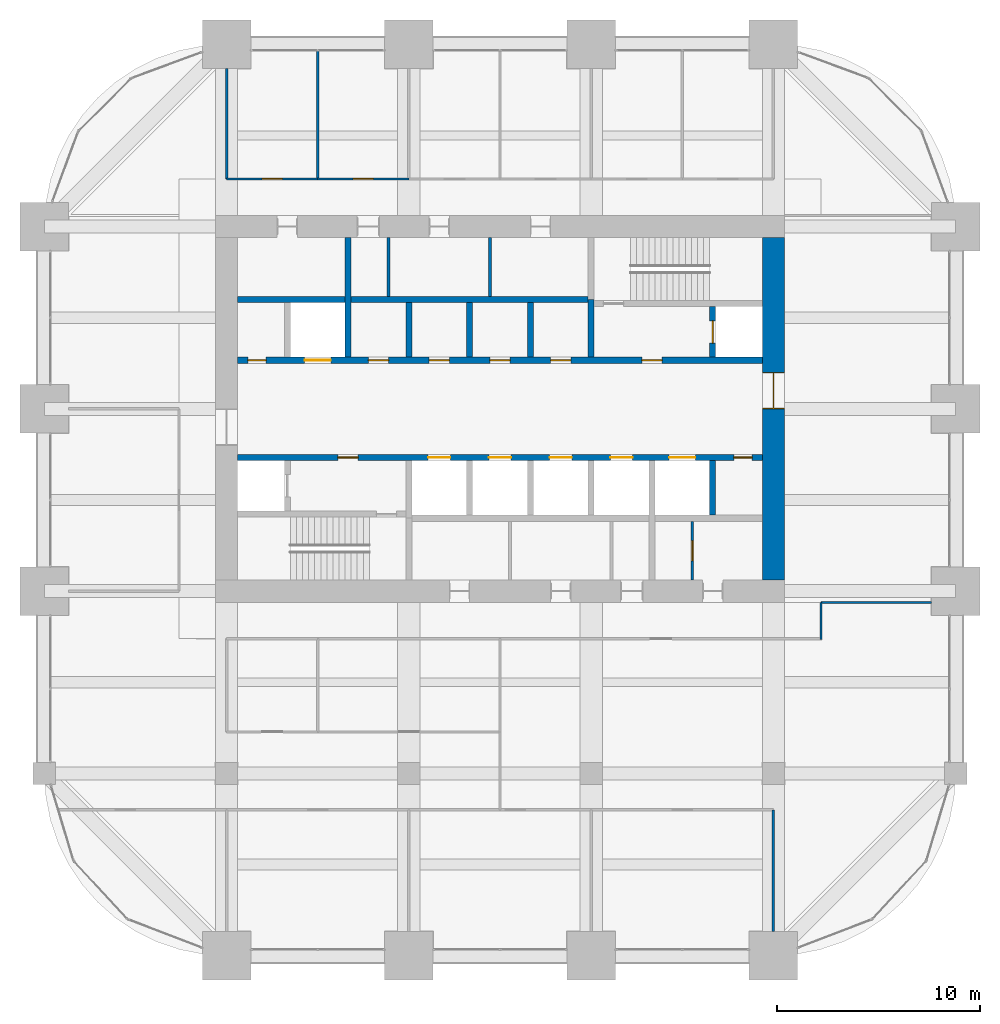
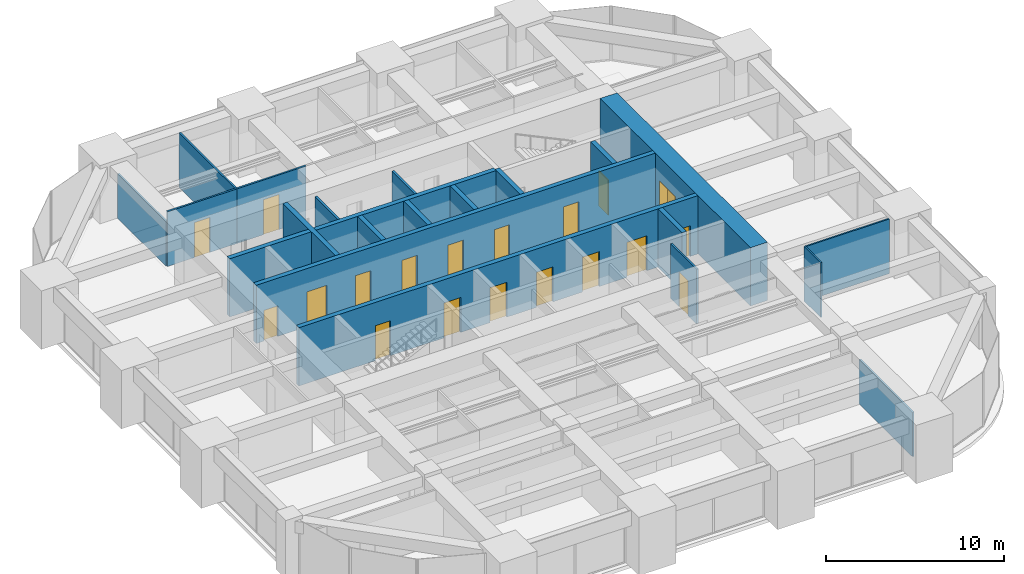
# One storey, part 43 of 45: 21 walls, 19 doors, 19 openings.
"""IFC4 building model written with IfcOpenShell, lengths in metres."""

from ifc_helpers import new_model, si_unit, direction, frame, frame_2d, origin, place, context, subcontext, project, spatial, rectangle, extrude, material, layer, layer_set, type_object, element, fill, save


model = new_model("IFC4")

# Units and contexts
model_context = context("Model", 3, precision=1e-05, world=origin(), true_north=direction((0.0, 1.0)))
body_context = subcontext(model_context, "Body", "Model", "MODEL_VIEW")
ifc_project = project(units=[si_unit("LENGTHUNIT", "METRE"), si_unit("AREAUNIT", "SQUARE_METRE"), si_unit("VOLUMEUNIT", "CUBIC_METRE"), si_unit("PLANEANGLEUNIT", "RADIAN"), si_unit("MASSUNIT", "GRAM", prefix="KILO")], contexts=[model_context])

# Site, building, storey
site_placement = place(None, origin())
site = spatial("IfcSite", under=ifc_project, at=site_placement, CompositionType="ELEMENT")
building_placement = place(site_placement, origin())
building = spatial("IfcBuilding", under=site, at=building_placement, Name="Zorevar Civic Tower", CompositionType="ELEMENT")
storey_placement = place(building_placement, frame((0.0, 0.0, 247.39990234375)))
storey = spatial("IfcBuildingStorey", under=building, at=storey_placement, Name="L60", CompositionType="ELEMENT", Elevation=247.39990234375)

# Wall, opening, door
ifc_material_1 = material(Name="Concrete C50/60", Category="concrete")
ifc_layer_1 = layer(ifc_material_1, 1.10009765625)
ifc_layer_set_1 = layer_set([ifc_layer_1], Name="Core wall 1100")
wall_type_1 = type_object("IfcWallType", Name="Core wall 1100", PredefinedType="SHEAR", material=ifc_layer_set_1)
wall_1_placement = place(storey_placement, frame((45.0, 18.550048828125, 0.0), z_axis=(0.0, 0.0, 1.0), x_axis=(0.0, 1.0, 0.0)))
wall_1 = element("IfcWall", 1, at=wall_1_placement, inside=storey, type_object=wall_type_1, Name="Core wall E L60", PredefinedType="SHEAR", context=body_context, shape_type="SweptSolid", body=[
    extrude(rectangle(XDim=16.89990234375, YDim=1.10009765625, at=frame_2d((8.449951171875, 0.0))), origin(), (0.0, 0.0, 1.0), 4.0),
])
opening_1_placement = place(wall_1_placement, frame((8.449951171875, 0.0, 0.0)))
opening_1 = element("IfcOpeningElement", 2, at=opening_1_placement, cuts=wall_1, Name="Opening L60.02", PredefinedType="OPENING", context=body_context, shape_type="SweptSolid", body=[
    extrude(rectangle(XDim=1.800048828125, YDim=2.39990234375, at=frame_2d((0.89990234375, 1.199951171875))), frame((0.0, 0.56005859375, 0.0), z_axis=(0.0, -1.0, 0.0), x_axis=(1.0, 0.0, 0.0)), (0.0, 0.0, 1.0), 1.1201171875),
])
ifc_material_2 = material(Name="Steel door set", Category="steel")
door_type_1 = type_object("IfcDoorType", Name="Fire door FD2 1800x2400", OperationType="DOUBLE_DOOR_DOUBLE_SWING", PredefinedType="DOOR", material=ifc_material_2)
door_1_placement = place(opening_1_placement, origin())
door_1 = element("IfcDoor", 3, at=door_1_placement, inside=storey, type_object=door_type_1, Name="Door L60 01", OperationType="DOUBLE_DOOR_DOUBLE_SWING", OverallHeight=2.39990234375, OverallWidth=1.800048828125, PredefinedType="DOOR", context=body_context, shape_type="SweptSolid", body=[
    extrude(rectangle(XDim=1.800048828125, YDim=2.39990234375, at=frame_2d((0.89990234375, 1.199951171875))), frame((0.0, 0.030029296875, 0.0), z_axis=(0.0, -1.0, 0.0), x_axis=(1.0, 0.0, 0.0)), (0.0, 0.0, 1.0), 0.06005859375),
    extrude(rectangle(XDim=0.04, YDim=2.39990234375, at=frame_2d((0.02001953125, 1.199951171875))), frame((0.0, 0.5498046875, 0.0), z_axis=(0.0, -1.0, 0.0), x_axis=(1.0, 0.0, 0.0)), (0.0, 0.0, 1.0), 1.099609375),
    extrude(rectangle(XDim=0.04, YDim=2.39990234375, at=frame_2d((1.780029296875, 1.199951171875))), frame((0.0, 0.5498046875, 0.0), z_axis=(0.0, -1.0, 0.0), x_axis=(1.0, 0.0, 0.0)), (0.0, 0.0, 1.0), 1.099609375),
    extrude(rectangle(XDim=1.800048828125, YDim=0.04, at=frame_2d((0.89990234375, 2.3798828125))), frame((0.0, 0.5498046875, 0.0), z_axis=(0.0, -1.0, 0.0), x_axis=(1.0, 0.0, 0.0)), (0.0, 0.0, 1.0), 1.099609375),
])
fill(opening_1, door_1)

# Walls
ifc_material_3 = material(Name="Laminated glass in black aluminium frame", Category="aluminium")
ifc_layer_2 = layer(ifc_material_3, 0.10009765625)
ifc_layer_set_2 = layer_set([ifc_layer_2], Name="Glazed partition 100")
wall_type_2 = type_object("IfcWallType", Name="Glazed partition 100", PredefinedType="PARTITIONING", material=ifc_layer_set_2)
wall_2_placement = place(storey_placement, frame((47.35009765625, 17.449951171875, 0.0), z_axis=(0.0, 0.0, 1.0), x_axis=(1.0, 0.0, 0.0)))
element("IfcWall", 4, at=wall_2_placement, inside=storey, type_object=wall_type_2, Name="Glazed partition 100 L60", PredefinedType="PARTITIONING", context=body_context, shape_type="SweptSolid", body=[
    extrude(rectangle(XDim=5.449951171875, YDim=0.10009765625, at=frame_2d((2.72509765625, 0.0))), origin(), (0.0, 0.0, 1.0), 3.75),
])
wall_3_placement = place(storey_placement, frame((47.35009765625, 15.60009765625, 0.0), z_axis=(0.0, 0.0, 1.0), x_axis=(0.0, 1.0, 0.0)))
element("IfcWall", 5, at=wall_3_placement, inside=storey, type_object=wall_type_2, Name="Glazed partition 100 L60", PredefinedType="PARTITIONING", context=body_context, shape_type="SweptSolid", body=[
    extrude(rectangle(XDim=1.849853515625, YDim=0.10009765625, at=frame_2d((0.9248046875, 0.0))), origin(), (0.0, 0.0, 1.0), 3.75),
])

# Wall, opening, door
ifc_material_4 = material(Name="Concrete C40/50", Category="concrete")
ifc_layer_3 = layer(ifc_material_4, 0.300048828125)
ifc_layer_set_3 = layer_set([ifc_layer_3], Name="Inner core wall 300")
wall_type_3 = type_object("IfcWallType", Name="Inner core wall 300", PredefinedType="SHEAR", material=ifc_layer_set_3)
wall_4_placement = place(storey_placement, frame((42.0, 29.550048828125, 0.0), z_axis=(0.0, 0.0, 1.0), x_axis=(0.0, 1.0, 0.0)))
wall_4 = element("IfcWall", 6, at=wall_4_placement, inside=storey, type_object=wall_type_3, Name="Inner core wall N02 L60", PredefinedType="SHEAR", context=body_context, shape_type="SweptSolid", body=[
    extrude(rectangle(XDim=2.5, YDim=0.300048828125, at=frame_2d((1.25, 0.0))), origin(), (0.0, 0.0, 1.0), 4.0),
])
opening_2_placement = place(wall_4_placement, frame((0.699951171875, 0.0, 0.0)))
opening_2 = element("IfcOpeningElement", 7, at=opening_2_placement, cuts=wall_4, Name="Opening L60.FL2", PredefinedType="OPENING", context=body_context, shape_type="SweptSolid", body=[
    extrude(rectangle(XDim=1.10009765625, YDim=2.39990234375, at=frame_2d((0.550048828125, 1.199951171875))), frame((0.0, 0.159912109375, 0.0), z_axis=(0.0, -1.0, 0.0), x_axis=(1.0, 0.0, 0.0)), (0.0, 0.0, 1.0), 0.320068359375),
])
ifc_material_5 = material(Name="Steel door set", Category="steel")
door_type_2 = type_object("IfcDoorType", Name="Firefighting lift landing door LD3 1100x2400", OperationType="DOUBLE_DOOR_SLIDING", PredefinedType="DOOR", material=ifc_material_5)
door_2_placement = place(opening_2_placement, origin())
door_2 = element("IfcDoor", 8, at=door_2_placement, inside=storey, type_object=door_type_2, Name="Landing door FL2 L60", OperationType="DOUBLE_DOOR_SLIDING", OverallHeight=2.39990234375, OverallWidth=1.10009765625, PredefinedType="DOOR", context=body_context, shape_type="SweptSolid", body=[
    extrude(rectangle(XDim=1.10009765625, YDim=2.39990234375, at=frame_2d((0.550048828125, 1.199951171875))), frame((0.0, 0.030029296875, 0.0), z_axis=(0.0, -1.0, 0.0), x_axis=(1.0, 0.0, 0.0)), (0.0, 0.0, 1.0), 0.06005859375),
])
fill(opening_2, door_2)

# Wall, openings, doors
wall_5_placement = place(storey_placement, frame((18.550048828125, 24.60009765625, 0.0), z_axis=(0.0, 0.0, 1.0), x_axis=(1.0, 0.0, 0.0)))
wall_5 = element("IfcWall", 9, at=wall_5_placement, inside=storey, type_object=wall_type_3, Name="Inner core wall S03 L60", PredefinedType="SHEAR", context=body_context, shape_type="SweptSolid", body=[
    extrude(rectangle(XDim=25.89990234375, YDim=0.300048828125, at=frame_2d((12.949951171875, 0.0))), origin(), (0.0, 0.0, 1.0), 4.0),
])
opening_3_placement = place(wall_5_placement, frame((4.949951171875, 0.0, 0.0)))
opening_3 = element("IfcOpeningElement", 10, at=opening_3_placement, cuts=wall_5, Name="Opening L60.13", PredefinedType="OPENING", context=body_context, shape_type="SweptSolid", body=[
    extrude(rectangle(XDim=1.0, YDim=2.39990234375, at=frame_2d((0.5, 1.199951171875))), frame((0.0, 0.159912109375, 0.0), z_axis=(0.0, -1.0, 0.0), x_axis=(1.0, 0.0, 0.0)), (0.0, 0.0, 1.0), 0.320068359375),
])
opening_4_placement = place(wall_5_placement, frame((24.5, 0.0, 0.0)))
opening_4 = element("IfcOpeningElement", 11, at=opening_4_placement, cuts=wall_5, Name="Opening L60.15", PredefinedType="OPENING", context=body_context, shape_type="SweptSolid", body=[
    extrude(rectangle(XDim=0.89990234375, YDim=2.10009765625, at=frame_2d((0.449951171875, 1.050048828125))), frame((0.0, 0.159912109375, 0.0), z_axis=(0.0, -1.0, 0.0), x_axis=(1.0, 0.0, 0.0)), (0.0, 0.0, 1.0), 0.320068359375),
])
opening_5_placement = place(wall_5_placement, frame((9.39990234375, 0.0, 0.0)))
opening_5 = element("IfcOpeningElement", 12, at=opening_5_placement, cuts=wall_5, Name="Opening L60.LT1", PredefinedType="OPENING", context=body_context, shape_type="SweptSolid", body=[
    extrude(rectangle(XDim=1.10009765625, YDim=2.39990234375, at=frame_2d((0.550048828125, 1.199951171875))), frame((0.0, 0.159912109375, 0.0), z_axis=(0.0, -1.0, 0.0), x_axis=(1.0, 0.0, 0.0)), (0.0, 0.0, 1.0), 0.320068359375),
])
opening_6_placement = place(wall_5_placement, frame((12.39990234375, 0.0, 0.0)))
opening_6 = element("IfcOpeningElement", 13, at=opening_6_placement, cuts=wall_5, Name="Opening L60.LT2", PredefinedType="OPENING", context=body_context, shape_type="SweptSolid", body=[
    extrude(rectangle(XDim=1.10009765625, YDim=2.39990234375, at=frame_2d((0.550048828125, 1.199951171875))), frame((0.0, 0.159912109375, 0.0), z_axis=(0.0, -1.0, 0.0), x_axis=(1.0, 0.0, 0.0)), (0.0, 0.0, 1.0), 0.320068359375),
])
opening_7_placement = place(wall_5_placement, frame((15.39990234375, 0.0, 0.0)))
opening_7 = element("IfcOpeningElement", 14, at=opening_7_placement, cuts=wall_5, Name="Opening L60.LT3", PredefinedType="OPENING", context=body_context, shape_type="SweptSolid", body=[
    extrude(rectangle(XDim=1.10009765625, YDim=2.39990234375, at=frame_2d((0.550048828125, 1.199951171875))), frame((0.0, 0.159912109375, 0.0), z_axis=(0.0, -1.0, 0.0), x_axis=(1.0, 0.0, 0.0)), (0.0, 0.0, 1.0), 0.320068359375),
])
opening_8_placement = place(wall_5_placement, frame((18.39990234375, 0.0, 0.0)))
opening_8 = element("IfcOpeningElement", 15, at=opening_8_placement, cuts=wall_5, Name="Opening L60.LT4", PredefinedType="OPENING", context=body_context, shape_type="SweptSolid", body=[
    extrude(rectangle(XDim=1.10009765625, YDim=2.39990234375, at=frame_2d((0.550048828125, 1.199951171875))), frame((0.0, 0.159912109375, 0.0), z_axis=(0.0, -1.0, 0.0), x_axis=(1.0, 0.0, 0.0)), (0.0, 0.0, 1.0), 0.320068359375),
])
opening_9_placement = place(wall_5_placement, frame((21.300048828125, 0.0, 0.0)))
opening_9 = element("IfcOpeningElement", 16, at=opening_9_placement, cuts=wall_5, Name="Opening L60.SL1", PredefinedType="OPENING", context=body_context, shape_type="SweptSolid", body=[
    extrude(rectangle(XDim=1.300048828125, YDim=2.39990234375, at=frame_2d((0.64990234375, 1.199951171875))), frame((0.0, 0.159912109375, 0.0), z_axis=(0.0, -1.0, 0.0), x_axis=(1.0, 0.0, 0.0)), (0.0, 0.0, 1.0), 0.320068359375),
])
ifc_material_6 = material(Name="Steel door set", Category="steel")
door_type_3 = type_object("IfcDoorType", Name="Fire door FD1 1000x2400", OperationType="SINGLE_SWING_LEFT", PredefinedType="DOOR", material=ifc_material_6)
door_3_placement = place(opening_3_placement, origin())
door_3 = element("IfcDoor", 17, at=door_3_placement, inside=storey, type_object=door_type_3, Name="Door L60 12", OperationType="SINGLE_SWING_RIGHT", OverallHeight=2.39990234375, OverallWidth=1.0, PredefinedType="DOOR", context=body_context, shape_type="SweptSolid", body=[
    extrude(rectangle(XDim=1.0, YDim=2.39990234375, at=frame_2d((0.5, 1.199951171875))), frame((0.0, 0.030029296875, 0.0), z_axis=(0.0, -1.0, 0.0), x_axis=(1.0, 0.0, 0.0)), (0.0, 0.0, 1.0), 0.06005859375),
])
fill(opening_3, door_3)
ifc_material_7 = material(Name="Steel door set", Category="steel")
door_type_4 = type_object("IfcDoorType", Name="Landing door LD1 1100x2400", OperationType="DOUBLE_DOOR_SLIDING", PredefinedType="DOOR", material=ifc_material_7)
door_4_placement = place(opening_5_placement, origin())
door_4 = element("IfcDoor", 18, at=door_4_placement, inside=storey, type_object=door_type_4, Name="Landing door LT1 L60", OperationType="DOUBLE_DOOR_SLIDING", OverallHeight=2.39990234375, OverallWidth=1.10009765625, PredefinedType="DOOR", context=body_context, shape_type="SweptSolid", body=[
    extrude(rectangle(XDim=1.10009765625, YDim=2.39990234375, at=frame_2d((0.550048828125, 1.199951171875))), frame((0.0, 0.02001953125, 0.0), z_axis=(0.0, -1.0, 0.0), x_axis=(1.0, 0.0, 0.0)), (0.0, 0.0, 1.0), 0.0400390625),
])
fill(opening_5, door_4)
door_5_placement = place(opening_6_placement, origin())
door_5 = element("IfcDoor", 19, at=door_5_placement, inside=storey, type_object=door_type_4, Name="Landing door LT2 L60", OperationType="DOUBLE_DOOR_SLIDING", OverallHeight=2.39990234375, OverallWidth=1.10009765625, PredefinedType="DOOR", context=body_context, shape_type="SweptSolid", body=[
    extrude(rectangle(XDim=1.10009765625, YDim=2.39990234375, at=frame_2d((0.550048828125, 1.199951171875))), frame((0.0, 0.02001953125, 0.0), z_axis=(0.0, -1.0, 0.0), x_axis=(1.0, 0.0, 0.0)), (0.0, 0.0, 1.0), 0.0400390625),
])
fill(opening_6, door_5)
door_6_placement = place(opening_7_placement, origin())
door_6 = element("IfcDoor", 20, at=door_6_placement, inside=storey, type_object=door_type_4, Name="Landing door LT3 L60", OperationType="DOUBLE_DOOR_SLIDING", OverallHeight=2.39990234375, OverallWidth=1.10009765625, PredefinedType="DOOR", context=body_context, shape_type="SweptSolid", body=[
    extrude(rectangle(XDim=1.10009765625, YDim=2.39990234375, at=frame_2d((0.550048828125, 1.199951171875))), frame((0.0, 0.02001953125, 0.0), z_axis=(0.0, -1.0, 0.0), x_axis=(1.0, 0.0, 0.0)), (0.0, 0.0, 1.0), 0.0400390625),
])
fill(opening_7, door_6)
door_7_placement = place(opening_8_placement, origin())
door_7 = element("IfcDoor", 21, at=door_7_placement, inside=storey, type_object=door_type_4, Name="Landing door LT4 L60", OperationType="DOUBLE_DOOR_SLIDING", OverallHeight=2.39990234375, OverallWidth=1.10009765625, PredefinedType="DOOR", context=body_context, shape_type="SweptSolid", body=[
    extrude(rectangle(XDim=1.10009765625, YDim=2.39990234375, at=frame_2d((0.550048828125, 1.199951171875))), frame((0.0, 0.02001953125, 0.0), z_axis=(0.0, -1.0, 0.0), x_axis=(1.0, 0.0, 0.0)), (0.0, 0.0, 1.0), 0.0400390625),
])
fill(opening_8, door_7)
ifc_material_8 = material(Name="Steel door set", Category="steel")
door_type_5 = type_object("IfcDoorType", Name="Landing door LD2 1300x2400", OperationType="DOUBLE_DOOR_SLIDING", PredefinedType="DOOR", material=ifc_material_8)
door_8_placement = place(opening_9_placement, origin())
door_8 = element("IfcDoor", 22, at=door_8_placement, inside=storey, type_object=door_type_5, Name="Landing door SL1 L60", OperationType="DOUBLE_DOOR_SLIDING", OverallHeight=2.39990234375, OverallWidth=1.300048828125, PredefinedType="DOOR", context=body_context, shape_type="SweptSolid", body=[
    extrude(rectangle(XDim=1.300048828125, YDim=2.39990234375, at=frame_2d((0.64990234375, 1.199951171875))), frame((0.0, 0.02001953125, 0.0), z_axis=(0.0, -1.0, 0.0), x_axis=(1.0, 0.0, 0.0)), (0.0, 0.0, 1.0), 0.0400390625),
])
fill(opening_9, door_8)
ifc_material_9 = material(Name="Steel door set", Category="steel")
door_type_6 = type_object("IfcDoorType", Name="Riser door RD1 900x2100", OperationType="SINGLE_SWING_LEFT", PredefinedType="DOOR", material=ifc_material_9)
door_9_placement = place(opening_4_placement, origin())
door_9 = element("IfcDoor", 23, at=door_9_placement, inside=storey, type_object=door_type_6, Name="Door L60 14", OperationType="SINGLE_SWING_RIGHT", OverallHeight=2.10009765625, OverallWidth=0.89990234375, PredefinedType="DOOR", context=body_context, shape_type="SweptSolid", body=[
    extrude(rectangle(XDim=0.89990234375, YDim=2.10009765625, at=frame_2d((0.449951171875, 1.050048828125))), frame((0.0, 0.030029296875, 0.0), z_axis=(0.0, -1.0, 0.0), x_axis=(1.0, 0.0, 0.0)), (0.0, 0.0, 1.0), 0.06005859375),
])
fill(opening_4, door_9)

wall_6_placement = place(storey_placement, frame((18.550048828125, 29.39990234375, 0.0), z_axis=(0.0, 0.0, 1.0), x_axis=(1.0, 0.0, 0.0)))
wall_6 = element("IfcWall", 24, at=wall_6_placement, inside=storey, type_object=wall_type_3, Name="Inner core wall N03 L60", PredefinedType="SHEAR", context=body_context, shape_type="SweptSolid", body=[
    extrude(rectangle(XDim=25.89990234375, YDim=0.300048828125, at=frame_2d((12.949951171875, 0.0))), origin(), (0.0, 0.0, 1.0), 4.0),
])
opening_10_placement = place(wall_6_placement, frame((19.949951171875, 0.0, 0.0)))
opening_10 = element("IfcOpeningElement", 25, at=opening_10_placement, cuts=wall_6, Name="Opening L60.14", PredefinedType="OPENING", context=body_context, shape_type="SweptSolid", body=[
    extrude(rectangle(XDim=1.0, YDim=2.39990234375, at=frame_2d((0.5, 1.199951171875))), frame((0.0, 0.159912109375, 0.0), z_axis=(0.0, -1.0, 0.0), x_axis=(1.0, 0.0, 0.0)), (0.0, 0.0, 1.0), 0.320068359375),
])
opening_11_placement = place(wall_6_placement, frame((0.5, 0.0, 0.0)))
opening_11 = element("IfcOpeningElement", 26, at=opening_11_placement, cuts=wall_6, Name="Opening L60.16", PredefinedType="OPENING", context=body_context, shape_type="SweptSolid", body=[
    extrude(rectangle(XDim=0.89990234375, YDim=2.10009765625, at=frame_2d((0.449951171875, 1.050048828125))), frame((0.0, 0.159912109375, 0.0), z_axis=(0.0, -1.0, 0.0), x_axis=(1.0, 0.0, 0.0)), (0.0, 0.0, 1.0), 0.320068359375),
])
opening_12_placement = place(wall_6_placement, frame((15.449951171875, 0.0, 0.0)))
opening_12 = element("IfcOpeningElement", 27, at=opening_12_placement, cuts=wall_6, Name="Opening L60.32", PredefinedType="OPENING", context=body_context, shape_type="SweptSolid", body=[
    extrude(rectangle(XDim=1.0, YDim=2.39990234375, at=frame_2d((0.5, 1.199951171875))), frame((0.0, 0.159912109375, 0.0), z_axis=(0.0, -1.0, 0.0), x_axis=(1.0, 0.0, 0.0)), (0.0, 0.0, 1.0), 0.320068359375),
])
opening_13_placement = place(wall_6_placement, frame((12.449951171875, 0.0, 0.0)))
opening_13 = element("IfcOpeningElement", 28, at=opening_13_placement, cuts=wall_6, Name="Opening L60.33", PredefinedType="OPENING", context=body_context, shape_type="SweptSolid", body=[
    extrude(rectangle(XDim=1.0, YDim=2.39990234375, at=frame_2d((0.5, 1.199951171875))), frame((0.0, 0.159912109375, 0.0), z_axis=(0.0, -1.0, 0.0), x_axis=(1.0, 0.0, 0.0)), (0.0, 0.0, 1.0), 0.320068359375),
])
opening_14_placement = place(wall_6_placement, frame((9.449951171875, 0.0, 0.0)))
opening_14 = element("IfcOpeningElement", 29, at=opening_14_placement, cuts=wall_6, Name="Opening L60.34", PredefinedType="OPENING", context=body_context, shape_type="SweptSolid", body=[
    extrude(rectangle(XDim=1.0, YDim=2.39990234375, at=frame_2d((0.5, 1.199951171875))), frame((0.0, 0.159912109375, 0.0), z_axis=(0.0, -1.0, 0.0), x_axis=(1.0, 0.0, 0.0)), (0.0, 0.0, 1.0), 0.320068359375),
])
opening_15_placement = place(wall_6_placement, frame((6.449951171875, 0.0, 0.0)))
opening_15 = element("IfcOpeningElement", 30, at=opening_15_placement, cuts=wall_6, Name="Opening L60.35", PredefinedType="OPENING", context=body_context, shape_type="SweptSolid", body=[
    extrude(rectangle(XDim=1.0, YDim=2.39990234375, at=frame_2d((0.5, 1.199951171875))), frame((0.0, 0.159912109375, 0.0), z_axis=(0.0, -1.0, 0.0), x_axis=(1.0, 0.0, 0.0)), (0.0, 0.0, 1.0), 0.320068359375),
])
opening_16_placement = place(wall_6_placement, frame((3.300048828125, 0.0, 0.0)))
opening_16 = element("IfcOpeningElement", 31, at=opening_16_placement, cuts=wall_6, Name="Opening L60.SL2", PredefinedType="OPENING", context=body_context, shape_type="SweptSolid", body=[
    extrude(rectangle(XDim=1.300048828125, YDim=2.39990234375, at=frame_2d((0.64990234375, 1.199951171875))), frame((0.0, 0.159912109375, 0.0), z_axis=(0.0, -1.0, 0.0), x_axis=(1.0, 0.0, 0.0)), (0.0, 0.0, 1.0), 0.320068359375),
])
door_10_placement = place(opening_10_placement, origin())
door_10 = element("IfcDoor", 32, at=door_10_placement, inside=storey, type_object=door_type_3, Name="Door L60 13", OperationType="SINGLE_SWING_RIGHT", OverallHeight=2.39990234375, OverallWidth=1.0, PredefinedType="DOOR", context=body_context, shape_type="SweptSolid", body=[
    extrude(rectangle(XDim=1.0, YDim=2.39990234375, at=frame_2d((0.5, 1.199951171875))), frame((0.0, 0.030029296875, 0.0), z_axis=(0.0, -1.0, 0.0), x_axis=(1.0, 0.0, 0.0)), (0.0, 0.0, 1.0), 0.06005859375),
])
fill(opening_10, door_10)
door_11_placement = place(opening_12_placement, origin())
door_11 = element("IfcDoor", 33, at=door_11_placement, inside=storey, type_object=door_type_3, Name="Door L60 LM1 shaft room", OperationType="SINGLE_SWING_LEFT", OverallHeight=2.39990234375, OverallWidth=1.0, PredefinedType="DOOR", context=body_context, shape_type="SweptSolid", body=[
    extrude(rectangle(XDim=1.0, YDim=2.39990234375, at=frame_2d((0.5, 1.199951171875))), frame((0.0, 0.030029296875, 0.0), z_axis=(0.0, -1.0, 0.0), x_axis=(1.0, 0.0, 0.0)), (0.0, 0.0, 1.0), 0.06005859375),
])
fill(opening_12, door_11)
door_12_placement = place(opening_13_placement, origin())
door_12 = element("IfcDoor", 34, at=door_12_placement, inside=storey, type_object=door_type_3, Name="Door L60 LM2 shaft room", OperationType="SINGLE_SWING_LEFT", OverallHeight=2.39990234375, OverallWidth=1.0, PredefinedType="DOOR", context=body_context, shape_type="SweptSolid", body=[
    extrude(rectangle(XDim=1.0, YDim=2.39990234375, at=frame_2d((0.5, 1.199951171875))), frame((0.0, 0.030029296875, 0.0), z_axis=(0.0, -1.0, 0.0), x_axis=(1.0, 0.0, 0.0)), (0.0, 0.0, 1.0), 0.06005859375),
])
fill(opening_13, door_12)
door_13_placement = place(opening_14_placement, origin())
door_13 = element("IfcDoor", 35, at=door_13_placement, inside=storey, type_object=door_type_3, Name="Door L60 LH1 shaft room", OperationType="SINGLE_SWING_RIGHT", OverallHeight=2.39990234375, OverallWidth=1.0, PredefinedType="DOOR", context=body_context, shape_type="SweptSolid", body=[
    extrude(rectangle(XDim=1.0, YDim=2.39990234375, at=frame_2d((0.5, 1.199951171875))), frame((0.0, 0.030029296875, 0.0), z_axis=(0.0, -1.0, 0.0), x_axis=(1.0, 0.0, 0.0)), (0.0, 0.0, 1.0), 0.06005859375),
])
fill(opening_14, door_13)
door_14_placement = place(opening_15_placement, origin())
door_14 = element("IfcDoor", 36, at=door_14_placement, inside=storey, type_object=door_type_3, Name="Door L60 LH2 shaft room", OperationType="SINGLE_SWING_RIGHT", OverallHeight=2.39990234375, OverallWidth=1.0, PredefinedType="DOOR", context=body_context, shape_type="SweptSolid", body=[
    extrude(rectangle(XDim=1.0, YDim=2.39990234375, at=frame_2d((0.5, 1.199951171875))), frame((0.0, 0.030029296875, 0.0), z_axis=(0.0, -1.0, 0.0), x_axis=(1.0, 0.0, 0.0)), (0.0, 0.0, 1.0), 0.06005859375),
])
fill(opening_15, door_14)
door_15_placement = place(opening_16_placement, origin())
door_15 = element("IfcDoor", 37, at=door_15_placement, inside=storey, type_object=door_type_5, Name="Landing door SL2 L60", OperationType="DOUBLE_DOOR_SLIDING", OverallHeight=2.39990234375, OverallWidth=1.300048828125, PredefinedType="DOOR", context=body_context, shape_type="SweptSolid", body=[
    extrude(rectangle(XDim=1.300048828125, YDim=2.39990234375, at=frame_2d((0.64990234375, 1.199951171875))), frame((0.0, 0.02001953125, 0.0), z_axis=(0.0, -1.0, 0.0), x_axis=(1.0, 0.0, 0.0)), (0.0, 0.0, 1.0), 0.0400390625),
])
fill(opening_16, door_15)
door_16_placement = place(opening_11_placement, origin())
door_16 = element("IfcDoor", 38, at=door_16_placement, inside=storey, type_object=door_type_6, Name="Door L60 15", OperationType="SINGLE_SWING_RIGHT", OverallHeight=2.10009765625, OverallWidth=0.89990234375, PredefinedType="DOOR", context=body_context, shape_type="SweptSolid", body=[
    extrude(rectangle(XDim=0.89990234375, YDim=2.10009765625, at=frame_2d((0.449951171875, 1.050048828125))), frame((0.0, 0.030029296875, 0.0), z_axis=(0.0, -1.0, 0.0), x_axis=(1.0, 0.0, 0.0)), (0.0, 0.0, 1.0), 0.06005859375),
])
fill(opening_11, door_16)

# Walls
wall_7_placement = place(storey_placement, frame((18.550048828125, 32.39990234375, 0.0), z_axis=(0.0, 0.0, 1.0), x_axis=(1.0, 0.0, 0.0)))
element("IfcWall", 39, at=wall_7_placement, inside=storey, type_object=wall_type_3, Name="Inner core wall N04 L60", PredefinedType="SHEAR", context=body_context, shape_type="SweptSolid", body=[
    extrude(rectangle(XDim=17.300048828125, YDim=0.300048828125, at=frame_2d((8.64990234375, 0.0))), origin(), (0.0, 0.0, 1.0), 4.0),
])
for number, where, z_axis, x_axis, name in (
    (40, (33.0, 29.550048828125, 0.0), (0.0, 0.0, 1.0), (0.0, 1.0, 0.0), "Inner core wall N05 L60"),
    (41, (30.0, 29.550048828125, 0.0), (0.0, 0.0, 1.0), (0.0, 1.0, 0.0), "Inner core wall N06 L60"),
    (42, (27.0, 29.550048828125, 0.0), (0.0, 0.0, 1.0), (0.0, 1.0, 0.0), "Inner core wall N07 L60"),
):
    element("IfcWall", number, at=place(storey_placement, frame(where, z_axis=z_axis, x_axis=x_axis)), inside=storey, type_object=wall_type_3, Name=name, PredefinedType="SHEAR", context=body_context, shape_type="SweptSolid", body=[
        extrude(rectangle(XDim=2.699951171875, YDim=0.300048828125, at=frame_2d((1.35009765625, 0.0))), origin(), (0.0, 0.0, 1.0), 4.0),
    ])
wall_8_placement = place(storey_placement, frame((24.0, 29.550048828125, 0.0), z_axis=(0.0, 0.0, 1.0), x_axis=(0.0, 1.0, 0.0)))
element("IfcWall", 43, at=wall_8_placement, inside=storey, type_object=wall_type_3, Name="Inner core wall N08 L60", PredefinedType="SHEAR", context=body_context, shape_type="SweptSolid", body=[
    extrude(rectangle(XDim=5.89990234375, YDim=0.300048828125, at=frame_2d((2.949951171875, 0.0))), origin(), (0.0, 0.0, 1.0), 4.0),
])
wall_9_placement = place(storey_placement, frame((42.0, 21.75, 0.0), z_axis=(0.0, 0.0, 1.0), x_axis=(0.0, 1.0, 0.0)))
element("IfcWall", 44, at=wall_9_placement, inside=storey, type_object=wall_type_3, Name="Inner core wall S09 L60", PredefinedType="SHEAR", context=body_context, shape_type="SweptSolid", body=[
    extrude(rectangle(XDim=2.699951171875, YDim=0.300048828125, at=frame_2d((1.35009765625, 0.0))), origin(), (0.0, 0.0, 1.0), 4.0),
])
wall_10_placement = place(storey_placement, frame((36.0, 29.550048828125, 0.0), z_axis=(0.0, 0.0, 1.0), x_axis=(0.0, 1.0, 0.0)))
element("IfcWall", 45, at=wall_10_placement, inside=storey, type_object=wall_type_3, Name="Inner core wall N10 L60", PredefinedType="SHEAR", context=body_context, shape_type="SweptSolid", body=[
    extrude(rectangle(XDim=2.849853515625, YDim=0.300048828125, at=frame_2d((1.4248046875, 0.0))), origin(), (0.0, 0.0, 1.0), 4.0),
])

# Wall, opening, door
ifc_material_10 = material(Name="Gypsum board on steel studs", Category="steel")
ifc_layer_4 = layer(ifc_material_10, 0.1201171875)
ifc_layer_set_4 = layer_set([ifc_layer_4], Name="Partition 120")
wall_type_4 = type_object("IfcWallType", Name="Partition 120", PredefinedType="PARTITIONING", material=ifc_layer_set_4)
wall_11_placement = place(storey_placement, frame((18.0, 38.35009765625, 0.0), z_axis=(0.0, 0.0, 1.0), x_axis=(1.0, 0.0, 0.0)))
wall_11 = element("IfcWall", 46, at=wall_11_placement, inside=storey, type_object=wall_type_4, Name="Partition 120 L60", PredefinedType="PARTITIONING", context=body_context, shape_type="SweptSolid", body=[
    extrude(rectangle(XDim=4.5, YDim=0.1201171875, at=frame_2d((2.25, 0.0))), origin(), (0.0, 0.0, 1.0), 3.75),
])
opening_17_placement = place(wall_11_placement, frame((1.75, 0.0, 0.0)))
opening_17 = element("IfcOpeningElement", 47, at=opening_17_placement, cuts=wall_11, Name="Opening L60.24", PredefinedType="OPENING", context=body_context, shape_type="SweptSolid", body=[
    extrude(rectangle(XDim=1.0, YDim=2.39990234375, at=frame_2d((0.5, 1.199951171875))), frame((0.0, 0.070068359375, 0.0), z_axis=(0.0, -1.0, 0.0), x_axis=(1.0, 0.0, 0.0)), (0.0, 0.0, 1.0), 0.14013671875),
])
ifc_material_11 = material(Name="Timber door set", Category="wood")
door_type_7 = type_object("IfcDoorType", Name="Door D1 1000x2400", OperationType="SINGLE_SWING_LEFT", PredefinedType="DOOR", material=ifc_material_11)
door_17_placement = place(opening_17_placement, origin())
door_17 = element("IfcDoor", 48, at=door_17_placement, inside=storey, type_object=door_type_7, Name="Door L60 D1", OperationType="SINGLE_SWING_LEFT", OverallHeight=2.39990234375, OverallWidth=1.0, PredefinedType="DOOR", context=body_context, shape_type="SweptSolid", body=[
    extrude(rectangle(XDim=1.0, YDim=2.39990234375, at=frame_2d((0.5, 1.199951171875))), frame((0.0, 0.02490234375, 0.0), z_axis=(0.0, -1.0, 0.0), x_axis=(1.0, 0.0, 0.0)), (0.0, 0.0, 1.0), 0.050048828125),
])
fill(opening_17, door_17)

wall_12_placement = place(storey_placement, frame((22.5, 38.35009765625, 0.0), z_axis=(0.0, 0.0, 1.0), x_axis=(1.0, 0.0, 0.0)))
wall_12 = element("IfcWall", 49, at=wall_12_placement, inside=storey, type_object=wall_type_4, Name="Partition 120 L60", PredefinedType="PARTITIONING", context=body_context, shape_type="SweptSolid", body=[
    extrude(rectangle(XDim=4.5, YDim=0.1201171875, at=frame_2d((2.25, 0.0))), origin(), (0.0, 0.0, 1.0), 3.75),
])
opening_18_placement = place(wall_12_placement, frame((1.75, 0.0, 0.0)))
opening_18 = element("IfcOpeningElement", 50, at=opening_18_placement, cuts=wall_12, Name="Opening L60.25", PredefinedType="OPENING", context=body_context, shape_type="SweptSolid", body=[
    extrude(rectangle(XDim=1.0, YDim=2.39990234375, at=frame_2d((0.5, 1.199951171875))), frame((0.0, 0.070068359375, 0.0), z_axis=(0.0, -1.0, 0.0), x_axis=(1.0, 0.0, 0.0)), (0.0, 0.0, 1.0), 0.14013671875),
])
door_18_placement = place(opening_18_placement, origin())
door_18 = element("IfcDoor", 51, at=door_18_placement, inside=storey, type_object=door_type_7, Name="Door L60 D1", OperationType="SINGLE_SWING_LEFT", OverallHeight=2.39990234375, OverallWidth=1.0, PredefinedType="DOOR", context=body_context, shape_type="SweptSolid", body=[
    extrude(rectangle(XDim=1.0, YDim=2.39990234375, at=frame_2d((0.5, 1.199951171875))), frame((0.0, 0.02490234375, 0.0), z_axis=(0.0, -1.0, 0.0), x_axis=(1.0, 0.0, 0.0)), (0.0, 0.0, 1.0), 0.050048828125),
])
fill(opening_18, door_18)

# Walls
wall_13_placement = place(storey_placement, frame((18.0, 38.35009765625, 0.0), z_axis=(0.0, 0.0, 1.0), x_axis=(0.0, 1.0, 0.0)))
element("IfcWall", 52, at=wall_13_placement, inside=storey, type_object=wall_type_4, Name="Partition 120 L60", PredefinedType="PARTITIONING", context=body_context, shape_type="SweptSolid", body=[
    extrude(rectangle(XDim=5.449951171875, YDim=0.1201171875, at=frame_2d((2.72509765625, 0.0))), origin(), (0.0, 0.0, 1.0), 3.050048828125),
])
wall_14_placement = place(storey_placement, frame((22.5, 38.35009765625, 0.0), z_axis=(0.0, 0.0, 1.0), x_axis=(0.0, 1.0, 0.0)))
element("IfcWall", 53, at=wall_14_placement, inside=storey, type_object=wall_type_4, Name="Partition 120 L60", PredefinedType="PARTITIONING", context=body_context, shape_type="SweptSolid", body=[
    extrude(rectangle(XDim=6.33984375, YDim=0.1201171875, at=frame_2d((3.169921875, 0.0))), origin(), (0.0, 0.0, 1.0), 3.75),
])
wall_15_placement = place(storey_placement, frame((45.0, 1.199951171875, 0.0), z_axis=(0.0, 0.0, 1.0), x_axis=(0.0, 1.0, 0.0)))
element("IfcWall", 54, at=wall_15_placement, inside=storey, type_object=wall_type_4, Name="Partition 120 L60", PredefinedType="PARTITIONING", context=body_context, shape_type="SweptSolid", body=[
    extrude(rectangle(XDim=6.0, YDim=0.1201171875, at=frame_2d((3.0, 0.0))), origin(), (0.0, 0.0, 1.0), 3.050048828125),
])

# Wall, opening, door
wall_16_placement = place(storey_placement, frame((41.0, 18.550048828125, 0.0), z_axis=(0.0, 0.0, 1.0), x_axis=(0.0, 1.0, 0.0)))
wall_16 = element("IfcWall", 55, at=wall_16_placement, inside=storey, type_object=wall_type_4, Name="Partition L60", PredefinedType="PARTITIONING", context=body_context, shape_type="SweptSolid", body=[
    extrude(rectangle(XDim=2.89990234375, YDim=0.1201171875, at=frame_2d((1.449951171875, 0.0))), origin(), (0.0, 0.0, 1.0), 3.75),
])
opening_19_placement = place(wall_16_placement, frame((0.949951171875, 0.0, 0.0)))
opening_19 = element("IfcOpeningElement", 56, at=opening_19_placement, cuts=wall_16, Name="Opening L60.31", PredefinedType="OPENING", context=body_context, shape_type="SweptSolid", body=[
    extrude(rectangle(XDim=1.0, YDim=2.39990234375, at=frame_2d((0.5, 1.199951171875))), frame((0.0, 0.070068359375, 0.0), z_axis=(0.0, -1.0, 0.0), x_axis=(1.0, 0.0, 0.0)), (0.0, 0.0, 1.0), 0.14013671875),
])
door_19_placement = place(opening_19_placement, origin())
door_19 = element("IfcDoor", 57, at=door_19_placement, inside=storey, type_object=door_type_3, Name="Door L60 ES", OperationType="SINGLE_SWING_RIGHT", OverallHeight=2.39990234375, OverallWidth=1.0, PredefinedType="DOOR", context=body_context, shape_type="SweptSolid", body=[
    extrude(rectangle(XDim=1.0, YDim=2.39990234375, at=frame_2d((0.5, 1.199951171875))), frame((0.0, 0.030029296875, 0.0), z_axis=(0.0, -1.0, 0.0), x_axis=(1.0, 0.0, 0.0)), (0.0, 0.0, 1.0), 0.06005859375),
])
fill(opening_19, door_19)

# Walls
ifc_material_12 = material(Name="Gypsum board on steel studs, moisture resistant", Category="steel")
ifc_layer_5 = layer(ifc_material_12, 0.14990234375)
ifc_layer_set_5 = layer_set([ifc_layer_5], Name="WC partition 150")
wall_type_5 = type_object("IfcWallType", Name="WC partition 150", PredefinedType="PARTITIONING", material=ifc_layer_set_5)
for number, where, z_axis, x_axis, name in (
    (58, (31.0, 32.550048828125, 0.0), (0.0, 0.0, 1.0), (0.0, 1.0, 0.0), "WC partition L60"),
    (59, (26.0, 32.550048828125, 0.0), (0.0, 0.0, 1.0), (0.0, 1.0, 0.0), "WC partition L60"),
):
    element("IfcWall", number, at=place(storey_placement, frame(where, z_axis=z_axis, x_axis=x_axis)), inside=storey, type_object=wall_type_5, Name=name, PredefinedType="PARTITIONING", context=body_context, shape_type="SweptSolid", body=[
        extrude(rectangle(XDim=2.89990234375, YDim=0.14990234375, at=frame_2d((1.449951171875, 0.0))), origin(), (0.0, 0.0, 1.0), 3.75),
    ])

save(model, "model.ifc")
